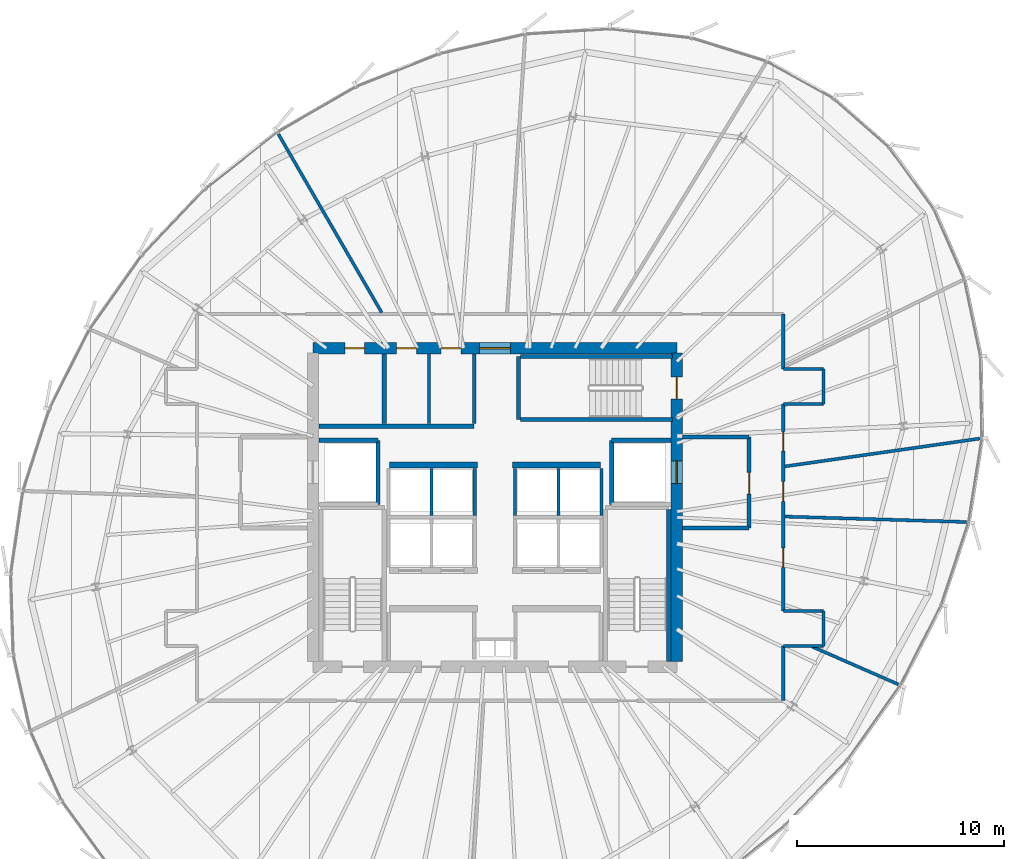
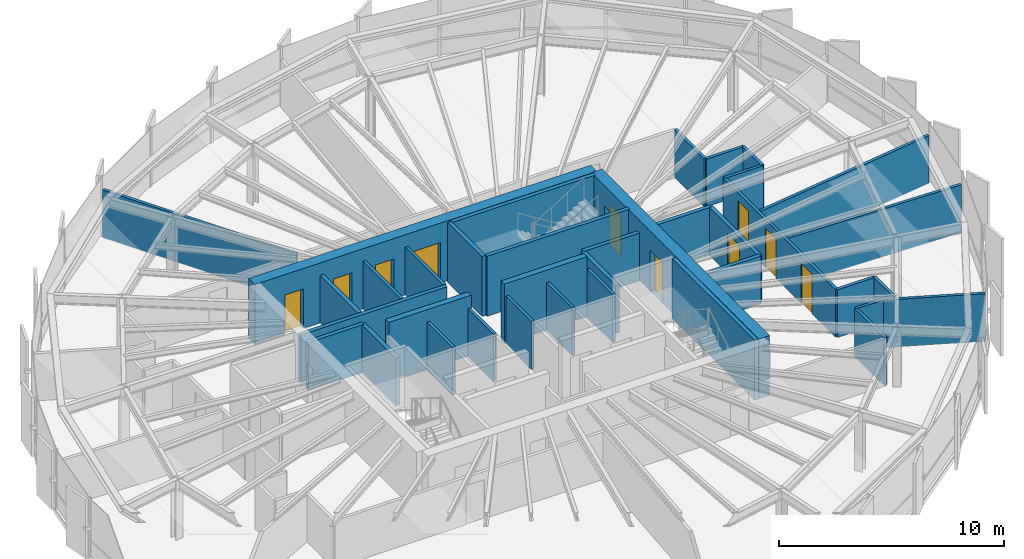
# One storey, part 31 of 35: 37 walls, 10 doors, 10 openings.
"""IFC4 building model written with IfcOpenShell, lengths in metres."""

from ifc_helpers import new_model, si_unit, direction, frame, frame_2d, origin, place, context, subcontext, project, spatial, rectangle, extrude, source, transform, mapped, material, layer, layer_set, type_object, element, fill, save


model = new_model("IFC4")

# Units and contexts
model_context = context("Model", 3, precision=1e-05, world=origin(), true_north=direction((0.0, 1.0)))
body_context = subcontext(model_context, "Body", "Model", "MODEL_VIEW")
ifc_project = project(units=[si_unit("LENGTHUNIT", "METRE"), si_unit("AREAUNIT", "SQUARE_METRE"), si_unit("VOLUMEUNIT", "CUBIC_METRE"), si_unit("PLANEANGLEUNIT", "RADIAN"), si_unit("MASSUNIT", "GRAM", prefix="KILO"), si_unit("THERMODYNAMICTEMPERATUREUNIT", "KELVIN")], contexts=[model_context])

# Site, building, storey
site_placement = place(None, origin())
site = spatial("IfcSite", under=ifc_project, at=site_placement, CompositionType="ELEMENT")
building_placement = place(site_placement, origin())
building = spatial("IfcBuilding", under=site, at=building_placement, Name="Kethvar Cultural Tower", CompositionType="ELEMENT")
storey_placement = place(building_placement, frame((0.0, 0.0, 204.39990234375)))
storey = spatial("IfcBuildingStorey", under=building, at=storey_placement, Name="L53", CompositionType="ELEMENT", Elevation=204.39990234375)

# Wall, openings, doors
ifc_material_1 = material(Name="Concrete C60/75", Category="concrete")
ifc_layer_1 = layer(ifc_material_1, 0.550048828125, Name="Concrete C60/75", Category="concrete")
ifc_layer_set_1 = layer_set([ifc_layer_1], Name="Concrete C60/75 (550 mm)")
wall_type_1 = type_object("IfcWallType", Name="WL-CORE-550", PredefinedType="SHEAR", material=ifc_layer_set_1)
wall_1_placement = place(storey_placement, frame((55.60009765625, 35.5, 0.0), z_axis=(0.0, 0.0, 1.0), x_axis=(-1.0, 0.0, 0.0)))
wall_1 = element("IfcWall", 1, at=wall_1_placement, inside=storey, type_object=wall_type_1, Name="L53 Core Shear Wall N", PredefinedType="SHEAR", context=body_context, shape_type="SweptSolid", body=[
    extrude(rectangle(XDim=17.60009765625, YDim=0.550048828125, at=frame_2d((8.800048828125, 0.0))), origin(), (0.0, 0.0, 1.0), 3.260009765625),
])
opening_1_placement = place(wall_1_placement, frame((8.050048828125, 0.0, 0.0)))
opening_1 = element("IfcOpeningElement", 2, at=opening_1_placement, cuts=wall_1, Name="Opening D-L53-LN", PredefinedType="OPENING", context=body_context, shape_type="SweptSolid", body=[
    extrude(rectangle(XDim=1.5, YDim=2.199951171875, at=frame_2d((0.75, 1.10009765625))), frame((0.0, 0.284912109375, 0.0), z_axis=(0.0, -1.0, 0.0), x_axis=(1.0, 0.0, 0.0)), (0.0, 0.0, 1.0), 0.570068359375),
])
opening_2_placement = place(wall_1_placement, frame((15.10009765625, 0.0, 0.0)))
opening_2 = element("IfcOpeningElement", 3, at=opening_2_placement, cuts=wall_1, Name="Opening D-L53-E1", PredefinedType="OPENING", context=body_context, shape_type="SweptSolid", body=[
    extrude(rectangle(XDim=0.949951171875, YDim=2.14990234375, at=frame_2d((0.47509765625, 1.074951171875))), frame((0.0, 0.284912109375, 0.0), z_axis=(0.0, -1.0, 0.0), x_axis=(1.0, 0.0, 0.0)), (0.0, 0.0, 1.0), 0.570068359375),
])
opening_3_placement = place(wall_1_placement, frame((12.60009765625, 0.0, 0.0)))
opening_3 = element("IfcOpeningElement", 4, at=opening_3_placement, cuts=wall_1, Name="Opening D-L53-W1", PredefinedType="OPENING", context=body_context, shape_type="SweptSolid", body=[
    extrude(rectangle(XDim=0.949951171875, YDim=2.14990234375, at=frame_2d((0.47509765625, 1.074951171875))), frame((0.0, 0.284912109375, 0.0), z_axis=(0.0, -1.0, 0.0), x_axis=(1.0, 0.0, 0.0)), (0.0, 0.0, 1.0), 0.570068359375),
])
opening_4_placement = place(wall_1_placement, frame((10.449951171875, 0.0, 0.0)))
opening_4 = element("IfcOpeningElement", 5, at=opening_4_placement, cuts=wall_1, Name="Opening D-L53-W2", PredefinedType="OPENING", context=body_context, shape_type="SweptSolid", body=[
    extrude(rectangle(XDim=0.949951171875, YDim=2.14990234375, at=frame_2d((0.47509765625, 1.074951171875))), frame((0.0, 0.284912109375, 0.0), z_axis=(0.0, -1.0, 0.0), x_axis=(1.0, 0.0, 0.0)), (0.0, 0.0, 1.0), 0.570068359375),
])
ifc_material_2 = material(Name="Architectural Oak Timber", Category="wood")
door_type_1 = type_object("IfcDoorType", Name="DR-DBL-FD60-1500", OperationType="DOUBLE_DOOR_SINGLE_SWING", PredefinedType="DOOR", material=ifc_material_2)
shared_shape_1 = source(origin(), body_context, "Body", "SweptSolid", [
    extrude(rectangle(XDim=1.5, YDim=2.199951171875, at=frame_2d((0.75, 1.10009765625))), frame((0.0, 0.02490234375, 0.0), z_axis=(0.0, -1.0, 0.0), x_axis=(1.0, 0.0, 0.0)), (0.0, 0.0, 1.0), 0.050048828125),
])
door_1_placement = place(opening_1_placement, origin())
door_1 = element("IfcDoor", 6, at=door_1_placement, inside=storey, type_object=door_type_1, Name="L53 Lift Lobby Concourse Door", OperationType="DOUBLE_DOOR_SINGLE_SWING", OverallHeight=2.199951171875, OverallWidth=1.5, PredefinedType="DOOR", context=body_context, shape_type="MappedRepresentation", body=[
    mapped(shared_shape_1, transform((0.0, 0.0, 0.0), scale=1.0)),
])
fill(opening_1, door_1)
door_type_2 = type_object("IfcDoorType", Name="DR-FD30-950", OperationType="NOTDEFINED", PredefinedType="DOOR", material=ifc_material_2)
shared_shape_2 = source(origin(), body_context, "Body", "SweptSolid", [
    extrude(rectangle(XDim=0.949951171875, YDim=2.14990234375, at=frame_2d((0.47509765625, 1.074951171875))), frame((0.0, 0.02490234375, 0.0), z_axis=(0.0, -1.0, 0.0), x_axis=(1.0, 0.0, 0.0)), (0.0, 0.0, 1.0), 0.050048828125),
])
door_2_placement = place(opening_2_placement, origin())
door_2 = element("IfcDoor", 7, at=door_2_placement, inside=storey, type_object=door_type_2, Name="L53 Electrical Switchgear Door", OperationType="SINGLE_SWING_RIGHT", OverallHeight=2.14990234375, OverallWidth=0.949951171875, PredefinedType="DOOR", context=body_context, shape_type="MappedRepresentation", body=[
    mapped(shared_shape_2, transform((0.0, 0.0, 0.0), scale=1.0)),
])
fill(opening_2, door_2)
door_3_placement = place(opening_3_placement, origin())
door_3 = element("IfcDoor", 8, at=door_3_placement, inside=storey, type_object=door_type_2, Name="L53 Accessible Washroom Door", OperationType="SINGLE_SWING_LEFT", OverallHeight=2.14990234375, OverallWidth=0.949951171875, PredefinedType="DOOR", context=body_context, shape_type="MappedRepresentation", body=[
    mapped(shared_shape_2, transform((0.0, 0.0, 0.0), scale=1.0)),
])
fill(opening_3, door_3)
door_4_placement = place(opening_4_placement, origin())
door_4 = element("IfcDoor", 9, at=door_4_placement, inside=storey, type_object=door_type_2, Name="L53 Public Washroom Door", OperationType="SINGLE_SWING_RIGHT", OverallHeight=2.14990234375, OverallWidth=0.949951171875, PredefinedType="DOOR", context=body_context, shape_type="MappedRepresentation", body=[
    mapped(shared_shape_2, transform((0.0, 0.0, 0.0), scale=1.0)),
])
fill(opening_4, door_4)

wall_2_placement = place(storey_placement, frame((55.60009765625, 20.340087890625, 0.0), z_axis=(0.0, 0.0, 1.0), x_axis=(0.0, 1.0, 0.0)))
wall_2 = element("IfcWall", 10, at=wall_2_placement, inside=storey, type_object=wall_type_1, Name="L53 Core Shear Wall E", PredefinedType="SHEAR", context=body_context, shape_type="SweptSolid", body=[
    extrude(rectangle(XDim=14.919921875, YDim=0.550048828125, at=frame_2d((7.4599609375, 0.0))), origin(), (0.0, 0.0, 1.0), 3.260009765625),
])
opening_5_placement = place(wall_2_placement, frame((12.7099609375, 0.0, 0.0)))
opening_5 = element("IfcOpeningElement", 11, at=opening_5_placement, cuts=wall_2, Name="Opening D-L53-S3", PredefinedType="OPENING", context=body_context, shape_type="SweptSolid", body=[
    extrude(rectangle(XDim=1.050048828125, YDim=2.14990234375, at=frame_2d((0.52490234375, 1.074951171875))), frame((0.0, 0.284912109375, 0.0), z_axis=(0.0, -1.0, 0.0), x_axis=(1.0, 0.0, 0.0)), (0.0, 0.0, 1.0), 0.570068359375),
])
opening_6_placement = place(wall_2_placement, frame((8.610107421875, 0.0, 0.0)))
opening_6 = element("IfcOpeningElement", 12, at=opening_6_placement, cuts=wall_2, Name="Opening LD-2", PredefinedType="OPENING", context=body_context, shape_type="SweptSolid", body=[
    extrude(rectangle(XDim=1.10009765625, YDim=2.199951171875, at=frame_2d((0.550048828125, 1.10009765625))), frame((0.0, 0.284912109375, 0.0), z_axis=(0.0, -1.0, 0.0), x_axis=(1.0, 0.0, 0.0)), (0.0, 0.0, 1.0), 0.570068359375),
])
ifc_material_3 = material(Name="Steel S355J2", Category="steel")
door_type_3 = type_object("IfcDoorType", Name="DR-FD60-1050", OperationType="NOTDEFINED", PredefinedType="DOOR", material=ifc_material_3)
shared_shape_3 = source(origin(), body_context, "Body", "SweptSolid", [
    extrude(rectangle(XDim=1.050048828125, YDim=2.14990234375, at=frame_2d((0.52490234375, 1.074951171875))), frame((0.0, 0.02490234375, 0.0), z_axis=(0.0, -1.0, 0.0), x_axis=(1.0, 0.0, 0.0)), (0.0, 0.0, 1.0), 0.050048828125),
])
door_5_placement = place(opening_5_placement, origin())
door_5 = element("IfcDoor", 13, at=door_5_placement, inside=storey, type_object=door_type_3, Name="L53 Exit Stair 3 Door", OperationType="SINGLE_SWING_LEFT", OverallHeight=2.14990234375, OverallWidth=1.050048828125, PredefinedType="DOOR", context=body_context, shape_type="MappedRepresentation", body=[
    mapped(shared_shape_3, transform((0.0, 0.0, 0.0), scale=1.0)),
])
fill(opening_5, door_5)
door_type_4 = type_object("IfcDoorType", Name="DR-LIFT-SLIDE-1100", OperationType="NOTDEFINED", PredefinedType="DOOR", material=ifc_material_3)
shared_shape_4 = source(origin(), body_context, "Body", "SweptSolid", [
    extrude(rectangle(XDim=1.10009765625, YDim=2.199951171875, at=frame_2d((0.550048828125, 1.10009765625))), frame((0.0, 0.02490234375, 0.0), z_axis=(0.0, -1.0, 0.0), x_axis=(1.0, 0.0, 0.0)), (0.0, 0.0, 1.0), 0.050048828125),
])
door_6_placement = place(opening_6_placement, origin())
door_6 = element("IfcDoor", 14, at=door_6_placement, inside=storey, type_object=door_type_4, Name="L53 Firefighting Lift Landing Door FFL-02", OperationType="SLIDING_TO_RIGHT", OverallHeight=2.199951171875, OverallWidth=1.10009765625, PredefinedType="DOOR", context=body_context, shape_type="MappedRepresentation", body=[
    mapped(shared_shape_4, transform((0.0, 0.0, 0.0), scale=1.0)),
])
fill(opening_6, door_6)

# Walls
ifc_material_4 = material(Name="Gypsum Fireboard Partition")
ifc_layer_2 = layer(ifc_material_4, 0.14990234375, Name="Gypsum Fireboard Partition")
ifc_layer_set_2 = layer_set([ifc_layer_2], Name="Gypsum Fireboard Partition (150 mm)")
wall_type_2 = type_object("IfcWallType", Name="WL-FIRE-150", PredefinedType="PARTITIONING", material=ifc_layer_set_2)
for number, where, z_axis, x_axis, name in (
    (15, (43.72509765625, 27.409912109375, 0.0), (0.0, 0.0, 1.0), (0.0, 1.0, 0.0), "L53 High-Rise Lift Shaft Divider W"),
    (16, (45.824951171875, 27.409912109375, 0.0), (0.0, 0.0, 1.0), (0.0, 1.0, 0.0), "L53 High-Rise Lift Shaft Concourse Wall W"),
    (17, (47.77490234375, 27.409912109375, 0.0), (0.0, 0.0, 1.0), (0.0, 1.0, 0.0), "L53 High-Rise Lift Shaft Concourse Wall E"),
    (18, (49.875, 27.409912109375, 0.0), (0.0, 0.0, 1.0), (0.0, 1.0, 0.0), "L53 High-Rise Lift Shaft Divider E"),
    (19, (51.949951171875, 27.409912109375, 0.0), (0.0, 0.0, 1.0), (0.0, 1.0, 0.0), "L53 High-Rise Lift Shaft Outer Wall E"),
):
    element("IfcWall", number, at=place(storey_placement, frame(where, z_axis=z_axis, x_axis=x_axis)), inside=storey, type_object=wall_type_2, Name=name, PredefinedType="PARTITIONING", context=body_context, shape_type="SweptSolid", body=[
        extrude(rectangle(XDim=2.27001953125, YDim=0.14990234375, at=frame_2d((1.135009765625, 0.0))), origin(), (0.0, 0.0, 1.0), 2.59521484375),
    ])
wall_3_placement = place(storey_placement, frame((45.800048828125, 31.85009765625, 0.0), z_axis=(0.0, 0.0, 1.0), x_axis=(0.0, 1.0, 0.0)))
element("IfcWall", 20, at=wall_3_placement, inside=storey, type_object=wall_type_2, Name="L53 Sanitary Spine Wall", PredefinedType="PARTITIONING", context=body_context, shape_type="SweptSolid", body=[
    extrude(rectangle(XDim=3.364990234375, YDim=0.14990234375, at=frame_2d((1.6826171875, 0.0))), origin(), (0.0, 0.0, 1.0), 2.59521484375),
])
wall_4_placement = place(storey_placement, frame((60.75, 18.449951171875, 0.0), z_axis=(0.0, 0.0, 1.0), x_axis=(0.0, 1.0, 0.0)))
element("IfcWall", 21, at=wall_4_placement, inside=storey, type_object=wall_type_2, Name="L53 Corridor Rated Wall E1", PredefinedType="PARTITIONING", context=body_context, shape_type="SweptSolid", body=[
    extrude(rectangle(XDim=2.650146484375, YDim=0.14990234375, at=frame_2d((1.3251953125, 0.0))), origin(), (0.0, 0.0, 1.0), 2.59521484375),
])
wall_5_placement = place(storey_placement, frame((60.75, 21.10009765625, 0.0), z_axis=(0.0, 0.0, 1.0), x_axis=(1.0, 0.0, 0.0)))
element("IfcWall", 22, at=wall_5_placement, inside=storey, type_object=wall_type_2, Name="L53 Corridor Rated Wall ESB", PredefinedType="PARTITIONING", context=body_context, shape_type="SweptSolid", body=[
    extrude(rectangle(XDim=1.949951171875, YDim=0.14990234375, at=frame_2d((0.97509765625, 0.0))), origin(), (0.0, 0.0, 1.0), 2.59521484375),
])
wall_6_placement = place(storey_placement, frame((62.699951171875, 21.10009765625, 0.0), z_axis=(0.0, 0.0, 1.0), x_axis=(0.0, 1.0, 0.0)))
element("IfcWall", 23, at=wall_6_placement, inside=storey, type_object=wall_type_2, Name="L53 Corridor Rated Wall ES", PredefinedType="PARTITIONING", context=body_context, shape_type="SweptSolid", body=[
    extrude(rectangle(XDim=1.699951171875, YDim=0.14990234375, at=frame_2d((0.85009765625, 0.0))), origin(), (0.0, 0.0, 1.0), 2.59521484375),
])
wall_7_placement = place(storey_placement, frame((62.699951171875, 22.800048828125, 0.0), z_axis=(0.0, 0.0, 1.0), x_axis=(-1.0, 0.0, 0.0)))
element("IfcWall", 24, at=wall_7_placement, inside=storey, type_object=wall_type_2, Name="L53 Corridor Rated Wall EST", PredefinedType="PARTITIONING", context=body_context, shape_type="SweptSolid", body=[
    extrude(rectangle(XDim=1.949951171875, YDim=0.14990234375, at=frame_2d((0.97509765625, 0.0))), origin(), (0.0, 0.0, 1.0), 2.59521484375),
])

# Wall, openings, doors
wall_8_placement = place(storey_placement, frame((60.75, 22.800048828125, 0.0), z_axis=(0.0, 0.0, 1.0), x_axis=(0.0, 1.0, 0.0)))
wall_8 = element("IfcWall", 25, at=wall_8_placement, inside=storey, type_object=wall_type_2, Name="L53 Corridor Rated Wall EM", PredefinedType="PARTITIONING", context=body_context, shape_type="SweptSolid", body=[
    extrude(rectangle(XDim=10.0, YDim=0.14990234375, at=frame_2d((5.0, 0.0))), origin(), (0.0, 0.0, 1.0), 2.59521484375),
])
opening_7_placement = place(wall_8_placement, frame((2.095458984375, 0.0, 0.0)))
opening_7 = element("IfcOpeningElement", 26, at=opening_7_placement, cuts=wall_8, Name="Opening D-L53-03", PredefinedType="OPENING", context=body_context, shape_type="SweptSolid", body=[
    extrude(rectangle(XDim=0.949951171875, YDim=2.14990234375, at=frame_2d((0.47509765625, 1.074951171875))), frame((0.0, 0.0849609375, 0.0), z_axis=(0.0, -1.0, 0.0), x_axis=(1.0, 0.0, 0.0)), (0.0, 0.0, 1.0), 0.169921875),
])
opening_8_placement = place(wall_8_placement, frame((5.294189453125, 0.0, 0.0)))
opening_8 = element("IfcOpeningElement", 27, at=opening_8_placement, cuts=wall_8, Name="Opening D-L53-04", PredefinedType="OPENING", context=body_context, shape_type="SweptSolid", body=[
    extrude(rectangle(XDim=0.949951171875, YDim=2.14990234375, at=frame_2d((0.47509765625, 1.074951171875))), frame((0.0, 0.0849609375, 0.0), z_axis=(0.0, -1.0, 0.0), x_axis=(1.0, 0.0, 0.0)), (0.0, 0.0, 1.0), 0.169921875),
])
opening_9_placement = place(wall_8_placement, frame((7.722412109375, 0.0, 0.0)))
opening_9 = element("IfcOpeningElement", 28, at=opening_9_placement, cuts=wall_8, Name="Opening D-L53-05", PredefinedType="OPENING", context=body_context, shape_type="SweptSolid", body=[
    extrude(rectangle(XDim=0.949951171875, YDim=2.14990234375, at=frame_2d((0.47509765625, 1.074951171875))), frame((0.0, 0.0849609375, 0.0), z_axis=(0.0, -1.0, 0.0), x_axis=(1.0, 0.0, 0.0)), (0.0, 0.0, 1.0), 0.169921875),
])
door_7_placement = place(opening_7_placement, origin())
door_7 = element("IfcDoor", 29, at=door_7_placement, inside=storey, type_object=door_type_2, Name="L53 Artifact Conservation Storage 03 Door", OperationType="SINGLE_SWING_RIGHT", OverallHeight=2.14990234375, OverallWidth=0.949951171875, PredefinedType="DOOR", context=body_context, shape_type="MappedRepresentation", body=[
    mapped(shared_shape_2, transform((0.0, 0.0, 0.0), scale=1.0)),
])
fill(opening_7, door_7)
door_8_placement = place(opening_8_placement, origin())
door_8 = element("IfcDoor", 30, at=door_8_placement, inside=storey, type_object=door_type_2, Name="L53 Records Closet 04 Door", OperationType="SINGLE_SWING_LEFT", OverallHeight=2.14990234375, OverallWidth=0.949951171875, PredefinedType="DOOR", context=body_context, shape_type="MappedRepresentation", body=[
    mapped(shared_shape_2, transform((0.0, 0.0, 0.0), scale=1.0)),
])
fill(opening_8, door_8)
door_9_placement = place(opening_9_placement, origin())
door_9 = element("IfcDoor", 31, at=door_9_placement, inside=storey, type_object=door_type_2, Name="L53 Colloquium Seminar Room 05 Door", OperationType="SINGLE_SWING_RIGHT", OverallHeight=2.14990234375, OverallWidth=0.949951171875, PredefinedType="DOOR", context=body_context, shape_type="MappedRepresentation", body=[
    mapped(shared_shape_2, transform((0.0, 0.0, 0.0), scale=1.0)),
])
fill(opening_9, door_9)

# Walls
wall_9_placement = place(storey_placement, frame((60.75, 32.800048828125, 0.0), z_axis=(0.0, 0.0, 1.0), x_axis=(1.0, 0.0, 0.0)))
element("IfcWall", 32, at=wall_9_placement, inside=storey, type_object=wall_type_2, Name="L53 Corridor Rated Wall ENB", PredefinedType="PARTITIONING", context=body_context, shape_type="SweptSolid", body=[
    extrude(rectangle(XDim=1.949951171875, YDim=0.14990234375, at=frame_2d((0.97509765625, 0.0))), origin(), (0.0, 0.0, 1.0), 2.59521484375),
])
wall_10_placement = place(storey_placement, frame((62.699951171875, 32.800048828125, 0.0), z_axis=(0.0, 0.0, 1.0), x_axis=(0.0, 1.0, 0.0)))
element("IfcWall", 33, at=wall_10_placement, inside=storey, type_object=wall_type_2, Name="L53 Corridor Rated Wall EN", PredefinedType="PARTITIONING", context=body_context, shape_type="SweptSolid", body=[
    extrude(rectangle(XDim=1.699951171875, YDim=0.14990234375, at=frame_2d((0.85009765625, 0.0))), origin(), (0.0, 0.0, 1.0), 2.59521484375),
])
wall_11_placement = place(storey_placement, frame((62.699951171875, 34.5, 0.0), z_axis=(0.0, 0.0, 1.0), x_axis=(-1.0, 0.0, 0.0)))
element("IfcWall", 34, at=wall_11_placement, inside=storey, type_object=wall_type_2, Name="L53 Corridor Rated Wall ENT", PredefinedType="PARTITIONING", context=body_context, shape_type="SweptSolid", body=[
    extrude(rectangle(XDim=1.949951171875, YDim=0.14990234375, at=frame_2d((0.97509765625, 0.0))), origin(), (0.0, 0.0, 1.0), 2.59521484375),
])
wall_12_placement = place(storey_placement, frame((60.75, 34.5, 0.0), z_axis=(0.0, 0.0, 1.0), x_axis=(0.0, 1.0, 0.0)))
element("IfcWall", 35, at=wall_12_placement, inside=storey, type_object=wall_type_2, Name="L53 Corridor Rated Wall E2", PredefinedType="PARTITIONING", context=body_context, shape_type="SweptSolid", body=[
    extrude(rectangle(XDim=2.64990234375, YDim=0.14990234375, at=frame_2d((1.324951171875, 0.0))), origin(), (0.0, 0.0, 1.0), 2.59521484375),
])
ifc_material_5 = material(Name="Concrete C40/50", Category="concrete")
ifc_layer_3 = layer(ifc_material_5, 0.199951171875, Name="Concrete C40/50", Category="concrete")
ifc_layer_set_3 = layer_set([ifc_layer_3], Name="Concrete C40/50 (200 mm)")
wall_type_3 = type_object("IfcWallType", Name="WL-FIRE-200", PredefinedType="PARTITIONING", material=ifc_layer_set_3)
wall_13_placement = place(storey_placement, frame((41.14990234375, 27.949951171875, 0.0), z_axis=(0.0, 0.0, 1.0), x_axis=(0.0, 1.0, 0.0)))
element("IfcWall", 36, at=wall_13_placement, inside=storey, type_object=wall_type_3, Name="L53 FFL-01 Shaft Inner Wall", PredefinedType="PARTITIONING", context=body_context, shape_type="SweptSolid", body=[
    extrude(rectangle(XDim=3.10009765625, YDim=0.199951171875, at=frame_2d((1.550048828125, 0.0))), origin(), (0.0, 0.0, 1.0), 2.59521484375),
])
wall_14_placement = place(storey_placement, frame((38.284912109375, 31.050048828125, 0.0), z_axis=(0.0, 0.0, 1.0), x_axis=(1.0, 0.0, 0.0)))
element("IfcWall", 37, at=wall_14_placement, inside=storey, type_object=wall_type_3, Name="L53 FFL-01 Shaft North Wall", PredefinedType="PARTITIONING", context=body_context, shape_type="SweptSolid", body=[
    extrude(rectangle(XDim=2.864990234375, YDim=0.199951171875, at=frame_2d((1.4326171875, 0.0))), origin(), (0.0, 0.0, 1.0), 2.59521484375),
])
wall_15_placement = place(storey_placement, frame((52.449951171875, 27.949951171875, 0.0), z_axis=(0.0, 0.0, 1.0), x_axis=(0.0, 1.0, 0.0)))
element("IfcWall", 38, at=wall_15_placement, inside=storey, type_object=wall_type_3, Name="L53 FFL-02 Shaft Inner Wall", PredefinedType="PARTITIONING", context=body_context, shape_type="SweptSolid", body=[
    extrude(rectangle(XDim=3.10009765625, YDim=0.199951171875, at=frame_2d((1.550048828125, 0.0))), origin(), (0.0, 0.0, 1.0), 2.59521484375),
])
wall_16_placement = place(storey_placement, frame((52.449951171875, 31.050048828125, 0.0), z_axis=(0.0, 0.0, 1.0), x_axis=(1.0, 0.0, 0.0)))
element("IfcWall", 39, at=wall_16_placement, inside=storey, type_object=wall_type_3, Name="L53 FFL-02 Shaft North Wall", PredefinedType="PARTITIONING", context=body_context, shape_type="SweptSolid", body=[
    extrude(rectangle(XDim=2.864990234375, YDim=0.199951171875, at=frame_2d((1.4326171875, 0.0))), origin(), (0.0, 0.0, 1.0), 2.59521484375),
])

# Wall, opening, door
wall_17_placement = place(storey_placement, frame((59.10009765625, 26.800048828125, 0.0), z_axis=(0.0, 0.0, 1.0), x_axis=(0.0, 1.0, 0.0)))
wall_17 = element("IfcWall", 40, at=wall_17_placement, inside=storey, type_object=wall_type_3, Name="L53 Firefighting Lobby 2 Wall", PredefinedType="PARTITIONING", context=body_context, shape_type="SweptSolid", body=[
    extrude(rectangle(XDim=4.39990234375, YDim=0.199951171875, at=frame_2d((2.199951171875, 0.0))), origin(), (0.0, 0.0, 1.0), 2.59521484375),
])
opening_10_placement = place(wall_17_placement, frame((1.64990234375, 0.0, 0.0)))
opening_10 = element("IfcOpeningElement", 41, at=opening_10_placement, cuts=wall_17, Name="Opening D-L53-F2", PredefinedType="OPENING", context=body_context, shape_type="SweptSolid", body=[
    extrude(rectangle(XDim=1.050048828125, YDim=2.14990234375, at=frame_2d((0.52490234375, 1.074951171875))), frame((0.0, 0.10986328125, 0.0), z_axis=(0.0, -1.0, 0.0), x_axis=(1.0, 0.0, 0.0)), (0.0, 0.0, 1.0), 0.219970703125),
])
door_10_placement = place(opening_10_placement, origin())
door_10 = element("IfcDoor", 42, at=door_10_placement, inside=storey, type_object=door_type_3, Name="L53 Firefighting Lobby 2 Fire Door", OperationType="SINGLE_SWING_LEFT", OverallHeight=2.14990234375, OverallWidth=1.050048828125, PredefinedType="DOOR", context=body_context, shape_type="MappedRepresentation", body=[
    mapped(shared_shape_3, transform((0.0, 0.0, 0.0), scale=1.0)),
])
fill(opening_10, door_10)

# Walls
for number, where, z_axis, x_axis, name in (
    (43, (55.885009765625, 26.800048828125, 0.0), (0.0, 0.0, 1.0), (1.0, 0.0, 0.0), "L53 FF Lobby 2 South Wall"),
    (44, (55.885009765625, 31.199951171875, 0.0), (0.0, 0.0, 1.0), (1.0, 0.0, 0.0), "L53 FF Lobby 2 North Wall"),
):
    element("IfcWall", number, at=place(storey_placement, frame(where, z_axis=z_axis, x_axis=x_axis)), inside=storey, type_object=wall_type_3, Name=name, PredefinedType="PARTITIONING", context=body_context, shape_type="SweptSolid", body=[
        extrude(rectangle(XDim=3.215087890625, YDim=0.199951171875, at=frame_2d((1.607421875, 0.0))), origin(), (0.0, 0.0, 1.0), 2.59521484375),
    ])
wall_18_placement = place(storey_placement, frame((41.449951171875, 31.85009765625, 0.0), z_axis=(0.0, 0.0, 1.0), x_axis=(0.0, 1.0, 0.0)))
element("IfcWall", 45, at=wall_18_placement, inside=storey, type_object=wall_type_3, Name="L53 NW Core Pocket Wall", PredefinedType="PARTITIONING", context=body_context, shape_type="SweptSolid", body=[
    extrude(rectangle(XDim=3.364990234375, YDim=0.199951171875, at=frame_2d((1.6826171875, 0.0))), origin(), (0.0, 0.0, 1.0), 2.59521484375),
])
wall_19_placement = place(storey_placement, frame((38.284912109375, 31.72998046875, 0.0), z_axis=(0.0, 0.0, 1.0), x_axis=(1.0, 0.0, 0.0)))
element("IfcWall", 46, at=wall_19_placement, inside=storey, type_object=wall_type_3, Name="L53 North Core Sanitary South Wall", PredefinedType="PARTITIONING", context=body_context, shape_type="SweptSolid", body=[
    extrude(rectangle(XDim=7.51513671875, YDim=0.199951171875, at=frame_2d((3.757568359375, 0.0))), origin(), (0.0, 0.0, 1.0), 2.59521484375),
])
ifc_material_6 = material(Name="Gypsum Acoustic Partition")
ifc_layer_4 = layer(ifc_material_6, 0.14990234375, Name="Gypsum Acoustic Partition")
ifc_layer_set_4 = layer_set([ifc_layer_4], Name="Gypsum Acoustic Partition (150 mm)")
wall_type_4 = type_object("IfcWallType", Name="WL-PART-150", PredefinedType="PARTITIONING", material=ifc_layer_set_4)
wall_20_placement = place(storey_placement, frame((62.1416015625, 21.068115234375, 0.0), z_axis=(0.0, 0.0, 1.0), x_axis=(0.916248259301, -0.400610942597, 0.0)))
element("IfcWall", 47, at=wall_20_placement, inside=storey, type_object=wall_type_4, Name="L53 Radial Partition Wall 03", PredefinedType="PARTITIONING", context=body_context, shape_type="SweptSolid", body=[
    extrude(rectangle(XDim=4.55908203125, YDim=0.14990234375, at=frame_2d((2.279541015625, 0.0))), origin(), (0.0, 0.0, 1.0), 2.59521484375),
])
wall_21_placement = place(storey_placement, frame((60.830078125, 27.358642578125, 0.0), z_axis=(0.0, 0.0, 1.0), x_axis=(0.999552707867, -0.02990625681, 0.0)))
element("IfcWall", 48, at=wall_21_placement, inside=storey, type_object=wall_type_4, Name="L53 Radial Partition Wall 04", PredefinedType="PARTITIONING", context=body_context, shape_type="SweptSolid", body=[
    extrude(rectangle(XDim=8.783935546875, YDim=0.14990234375, at=frame_2d((4.39208984375, 0.0))), origin(), (0.0, 0.0, 1.0), 2.59521484375),
])
wall_22_placement = place(storey_placement, frame((60.8291015625, 29.785888671875, 0.0), z_axis=(0.0, 0.0, 1.0), x_axis=(0.989936669237, 0.141511098154, 0.0)))
element("IfcWall", 49, at=wall_22_placement, inside=storey, type_object=wall_type_4, Name="L53 Radial Partition Wall 05", PredefinedType="PARTITIONING", context=body_context, shape_type="SweptSolid", body=[
    extrude(rectangle(XDim=9.521484375, YDim=0.14990234375, at=frame_2d((4.7607421875, 0.0))), origin(), (0.0, 0.0, 1.0), 2.59521484375),
])
wall_23_placement = place(storey_placement, frame((41.32958984375, 37.21923828125, 0.0), z_axis=(0.0, 0.0, 1.0), x_axis=(-0.500938827378, 0.86548269262, 0.0)))
element("IfcWall", 50, at=wall_23_placement, inside=storey, type_object=wall_type_4, Name="L53 Radial Partition Wall 09", PredefinedType="PARTITIONING", context=body_context, shape_type="SweptSolid", body=[
    extrude(rectangle(XDim=9.975341796875, YDim=0.14990234375, at=frame_2d((4.98779296875, 0.0))), origin(), (0.0, 0.0, 1.0), 2.59521484375),
])
ifc_material_7 = material(Name="Moisture-Resistant Sanitary Chase Wall")
ifc_layer_5 = layer(ifc_material_7, 0.14990234375, Name="Moisture-Resistant Sanitary Chase Wall")
ifc_layer_set_5 = layer_set([ifc_layer_5], Name="Moisture-Resistant Sanitary Chase Wall (150 mm)")
wall_type_5 = type_object("IfcWallType", Name="WL-PLUMB-150", PredefinedType="PLUMBINGWALL", material=ifc_layer_set_5)
wall_24_placement = place(storey_placement, frame((43.6201171875, 31.85009765625, 0.0), z_axis=(0.0, 0.0, 1.0), x_axis=(0.0, 1.0, 0.0)))
element("IfcWall", 51, at=wall_24_placement, inside=storey, type_object=wall_type_5, Name="L53 Sanitary Plumbing Wall", PredefinedType="PLUMBINGWALL", context=body_context, shape_type="SweptSolid", body=[
    extrude(rectangle(XDim=3.364990234375, YDim=0.14990234375, at=frame_2d((1.6826171875, 0.0))), origin(), (0.0, 0.0, 1.0), 2.59521484375),
])
ifc_material_8 = material(Name="Concrete C50/60", Category="concrete")
ifc_layer_6 = layer(ifc_material_8, 0.300048828125, Name="Concrete C50/60", Category="concrete")
ifc_layer_set_6 = layer_set([ifc_layer_6], Name="Concrete C50/60 (300 mm)")
wall_type_6 = type_object("IfcWallType", Name="WL-SHAFT-300", PredefinedType="SHEAR", material=ifc_layer_set_6)
for number, where, z_axis, x_axis, name in (
    (52, (41.699951171875, 29.85009765625, 0.0), (0.0, 0.0, 1.0), (1.0, 0.0, 0.0), "L53 Core Lift Spine Wall MID3W"),
    (53, (47.64990234375, 29.85009765625, 0.0), (0.0, 0.0, 1.0), (1.0, 0.0, 0.0), "L53 Core Lift Spine Wall MID3E"),
):
    element("IfcWall", number, at=place(storey_placement, frame(where, z_axis=z_axis, x_axis=x_axis)), inside=storey, type_object=wall_type_6, Name=name, PredefinedType="SHEAR", context=body_context, shape_type="SweptSolid", body=[
        extrude(rectangle(XDim=4.25, YDim=0.300048828125, at=frame_2d((2.125, 0.0))), origin(), (0.0, 0.0, 1.0), 3.260009765625),
    ])
ifc_layer_7 = layer(ifc_material_8, 0.199951171875, Name="Concrete C50/60", Category="concrete")
ifc_layer_set_7 = layer_set([ifc_layer_7], Name="Concrete C50/60 (200 mm)")
wall_type_7 = type_object("IfcWallType", Name="WL-STSHAFT-200", PredefinedType="SHEAR", material=ifc_layer_set_7)
wall_25_placement = place(storey_placement, frame((55.2099609375, 27.699951171875, 0.0), z_axis=(0.0, 0.0, 1.0), x_axis=(0.0, -1.0, 0.0)))
element("IfcWall", 54, at=wall_25_placement, inside=storey, type_object=wall_type_7, Name="L53 ST-02 Stair Shaft Wall LEFT", PredefinedType="SHEAR", context=body_context, shape_type="SweptSolid", body=[
    extrude(rectangle(XDim=7.349853515625, YDim=0.199951171875, at=frame_2d((3.6748046875, 0.0))), origin(), (0.0, 0.0, 1.0), 3.260009765625),
])
wall_26_placement = place(storey_placement, frame((47.949951171875, 32.050048828125, 0.0), z_axis=(0.0, 0.0, 1.0), x_axis=(0.0, 1.0, 0.0)))
element("IfcWall", 55, at=wall_26_placement, inside=storey, type_object=wall_type_7, Name="L53 ST-03 Stair Shaft Wall FAR", PredefinedType="SHEAR", context=body_context, shape_type="SweptSolid", body=[
    extrude(rectangle(XDim=3.06005859375, YDim=0.199951171875, at=frame_2d((1.530029296875, 0.0))), origin(), (0.0, 0.0, 1.0), 3.260009765625),
])
for number, where, z_axis, x_axis, name in (
    (56, (48.050048828125, 35.110107421875, 0.0), (0.0, 0.0, 1.0), (1.0, 0.0, 0.0), "L53 ST-03 Stair Shaft Wall LEFT"),
    (57, (55.39990234375, 32.050048828125, 0.0), (0.0, 0.0, 1.0), (-1.0, 0.0, 0.0), "L53 ST-03 Stair Shaft Wall RIGHT"),
):
    element("IfcWall", number, at=place(storey_placement, frame(where, z_axis=z_axis, x_axis=x_axis)), inside=storey, type_object=wall_type_7, Name=name, PredefinedType="SHEAR", context=body_context, shape_type="SweptSolid", body=[
        extrude(rectangle(XDim=7.349853515625, YDim=0.199951171875, at=frame_2d((3.6748046875, 0.0))), origin(), (0.0, 0.0, 1.0), 3.260009765625),
    ])

save(model, "model.ifc")
